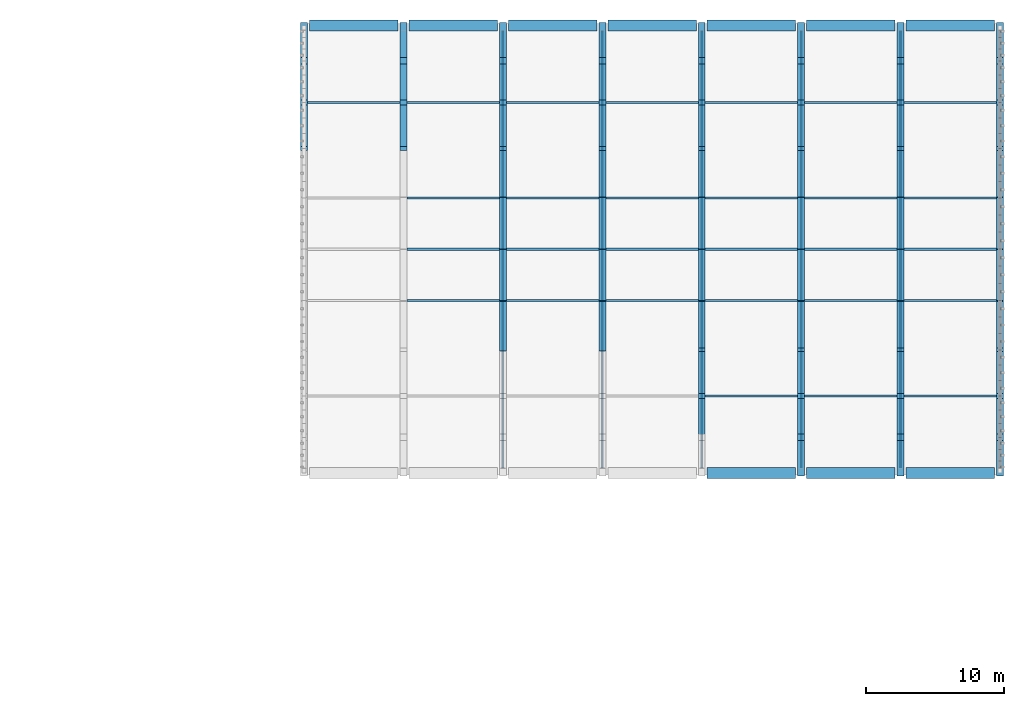
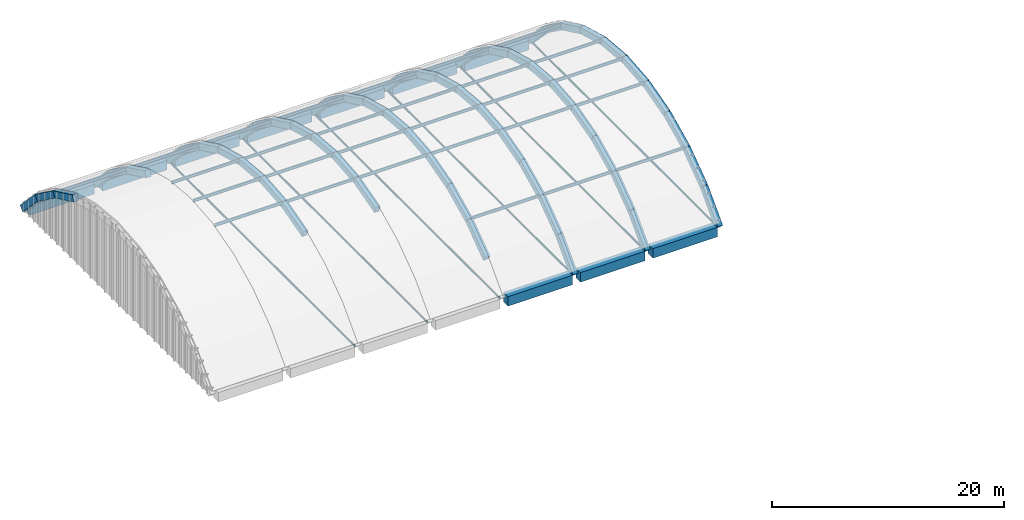
# One storey, part 5 of 16: 97 beams, 6 members.
"""IFC4 building model written with IfcOpenShell, lengths in metres."""

from ifc_helpers import new_model, si_unit, direction, frame, origin, origin_2d, place, context, subcontext, project, spatial, rectangle, hollow_circle, i_section, extrude, material, material_profile, profile_set, type_object, element, save


model = new_model("IFC4")

# Units and contexts
model_context = context("Model", 3, precision=1e-05, world=origin(), true_north=direction((0.0, 1.0)))
body_context = subcontext(model_context, "Body", "Model", "MODEL_VIEW")
ifc_project = project(units=[si_unit("LENGTHUNIT", "METRE"), si_unit("AREAUNIT", "SQUARE_METRE"), si_unit("VOLUMEUNIT", "CUBIC_METRE"), si_unit("PLANEANGLEUNIT", "RADIAN"), si_unit("MASSUNIT", "GRAM", prefix="KILO")], contexts=[model_context])

# Site, building, storey
site_placement = place(None, origin())
site = spatial("IfcSite", under=ifc_project, at=site_placement, CompositionType="ELEMENT")
building_placement = place(site_placement, origin())
building = spatial("IfcBuilding", under=site, at=building_placement, Name="Sardonyx Promenade Sports Hall", CompositionType="ELEMENT")
storey_placement = place(building_placement, frame((0.0, 0.0, 24.800048828125)))
storey = spatial("IfcBuildingStorey", under=building, at=storey_placement, Name="RF", CompositionType="ELEMENT", Elevation=24.800048828125)

# Beams
ifc_material_1 = material(Name="Concrete C40/50", Category="concrete")
ifc_material_profile_1 = material_profile(ifc_material_1, rectangle(XDim=0.800048828125, YDim=1.0, at=origin_2d()))
ifc_profile_set_1 = profile_set([ifc_material_profile_1], Name="Concrete C40/50")
beam_type_1 = type_object("IfcBeamType", Name="Bm_Ring_Main", PredefinedType="BEAM", material=ifc_profile_set_1)
for number, where, z_axis, x_axis, name in (
    (1, (29.195068359375, 104.39990234375, -4.5), (1.0, 0.0, 0.0), (0.0, 1.0, 0.0), "Vault springing ring beam RB1 V1 N1"),
    (2, (36.39501953125, 104.39990234375, -4.5), (1.0, 0.0, 0.0), (0.0, 1.0, 0.0), "Vault springing ring beam RB1 V1 N2"),
    (3, (43.594970703125, 104.39990234375, -4.5), (1.0, 0.0, 0.0), (0.0, 1.0, 0.0), "Vault springing ring beam RB1 V1 N3"),
):
    element("IfcBeam", number, at=place(storey_placement, frame(where, z_axis=z_axis, x_axis=x_axis)), inside=storey, type_object=beam_type_1, Name=name, PredefinedType="BEAM", context=body_context, shape_type="SweptSolid", body=[
        extrude(rectangle(XDim=0.800048828125, YDim=1.0, at=origin_2d()), origin(), (0.0, 0.0, 1.0), 6.409912109375),
    ])
beam_1_placement = place(storey_placement, frame((50.794921875, 104.39990234375, -4.5), z_axis=(1.0, 0.0, 0.0), x_axis=(0.0, 1.0, 0.0)))
element("IfcBeam", 4, at=beam_1_placement, inside=storey, type_object=beam_type_1, Name="Vault springing ring beam RB1 V1 N4", PredefinedType="BEAM", context=body_context, shape_type="SweptSolid", body=[
    extrude(rectangle(XDim=0.800048828125, YDim=1.0, at=origin_2d()), origin(), (0.0, 0.0, 1.0), 6.41015625),
])
for number, where, z_axis, x_axis, name in (
    (5, (57.9951171875, 72.0, -4.5), (1.0, 0.0, 0.0), (0.0, 1.0, 0.0), "Vault springing ring beam RB1 V1 S5"),
    (6, (57.9951171875, 104.39990234375, -4.5), (1.0, 0.0, 0.0), (0.0, 1.0, 0.0), "Vault springing ring beam RB1 V1 N5"),
    (7, (65.195068359375, 72.0, -4.5), (1.0, 0.0, 0.0), (0.0, 1.0, 0.0), "Vault springing ring beam RB1 V1 S6"),
    (8, (65.195068359375, 104.39990234375, -4.5), (1.0, 0.0, 0.0), (0.0, 1.0, 0.0), "Vault springing ring beam RB1 V1 N6"),
    (9, (72.39501953125, 72.0, -4.5), (1.0, 0.0, 0.0), (0.0, 1.0, 0.0), "Vault springing ring beam RB1 V1 S7"),
    (10, (72.39501953125, 104.39990234375, -4.5), (1.0, 0.0, 0.0), (0.0, 1.0, 0.0), "Vault springing ring beam RB1 V1 N7"),
):
    element("IfcBeam", number, at=place(storey_placement, frame(where, z_axis=z_axis, x_axis=x_axis)), inside=storey, type_object=beam_type_1, Name=name, PredefinedType="BEAM", context=body_context, shape_type="SweptSolid", body=[
        extrude(rectangle(XDim=0.800048828125, YDim=1.0, at=origin_2d()), origin(), (0.0, 0.0, 1.0), 6.409912109375),
    ])
ifc_material_2 = material(Name="Steel S355JR", Category="steel")
ifc_material_profile_2 = material_profile(ifc_material_2, i_section(OverallWidth=0.14990234375, OverallDepth=0.300048828125, WebThickness=0.007080078125, FlangeThickness=0.0107421875, at=origin_2d()))
ifc_profile_set_2 = profile_set([ifc_material_profile_2], Name="Steel S355JR")
beam_type_2 = type_object("IfcBeamType", Name="Bm_VaultPurlin_Ext", PredefinedType="BEAM", material=ifc_profile_set_2)
for number, where, z_axis, x_axis, name in (
    (11, (29.048095703125, 98.8271484375, 0.697509765625), (1.0, 0.0, 0.0), (0.0, 1.0, 0.0), "Vault longitudinal purlin V1 bay 1 line 8"),
    (12, (36.248046875, 84.50048828125, 3.297119140625), (1.0, 0.0, 0.0), (0.0, 1.0, 0.0), "Vault longitudinal purlin V1 bay 2 line 4"),
    (13, (36.248046875, 88.199951171875, 3.6298828125), (1.0, 0.0, 0.0), (0.0, 1.0, 0.0), "Vault longitudinal purlin V1 bay 2 line 5"),
    (14, (36.248046875, 91.899658203125, 3.297119140625), (1.0, 0.0, 0.0), (0.0, 1.0, 0.0), "Vault longitudinal purlin V1 bay 2 line 6"),
    (15, (36.248046875, 98.8271484375, 0.697509765625), (1.0, 0.0, 0.0), (0.0, 1.0, 0.0), "Vault longitudinal purlin V1 bay 2 line 8"),
):
    element("IfcBeam", number, at=place(storey_placement, frame(where, z_axis=z_axis, x_axis=x_axis)), inside=storey, type_object=beam_type_2, Name=name, PredefinedType="BEAM", context=body_context, shape_type="SweptSolid", body=[
        extrude(i_section(OverallWidth=0.14990234375, OverallDepth=0.300048828125, WebThickness=0.007080078125, FlangeThickness=0.0107421875, at=origin_2d()), origin(), (0.0, 0.0, 1.0), 6.703857421875),
    ])
for number, where, z_axis, x_axis, name in (
    (16, (43.447998046875, 84.50048828125, 3.297119140625), (1.0, 0.0, 0.0), (0.0, 1.0, 0.0), "Vault longitudinal purlin V1 bay 3 line 4"),
    (17, (43.447998046875, 88.199951171875, 3.6298828125), (1.0, 0.0, 0.0), (0.0, 1.0, 0.0), "Vault longitudinal purlin V1 bay 3 line 5"),
    (18, (43.447998046875, 91.899658203125, 3.297119140625), (1.0, 0.0, 0.0), (0.0, 1.0, 0.0), "Vault longitudinal purlin V1 bay 3 line 6"),
    (19, (43.447998046875, 98.8271484375, 0.697509765625), (1.0, 0.0, 0.0), (0.0, 1.0, 0.0), "Vault longitudinal purlin V1 bay 3 line 8"),
    (20, (50.64794921875, 84.50048828125, 3.297119140625), (1.0, 0.0, 0.0), (0.0, 1.0, 0.0), "Vault longitudinal purlin V1 bay 4 line 4"),
    (21, (50.64794921875, 88.199951171875, 3.6298828125), (1.0, 0.0, 0.0), (0.0, 1.0, 0.0), "Vault longitudinal purlin V1 bay 4 line 5"),
    (22, (50.64794921875, 91.899658203125, 3.297119140625), (1.0, 0.0, 0.0), (0.0, 1.0, 0.0), "Vault longitudinal purlin V1 bay 4 line 6"),
    (23, (50.64794921875, 98.8271484375, 0.697509765625), (1.0, 0.0, 0.0), (0.0, 1.0, 0.0), "Vault longitudinal purlin V1 bay 4 line 8"),
    (24, (57.847900390625, 77.57275390625, 0.697509765625), (1.0, 0.0, 0.0), (0.0, 1.0, 0.0), "Vault longitudinal purlin V1 bay 5 line 2"),
    (25, (57.847900390625, 84.50048828125, 3.297119140625), (1.0, 0.0, 0.0), (0.0, 1.0, 0.0), "Vault longitudinal purlin V1 bay 5 line 4"),
    (26, (57.847900390625, 88.199951171875, 3.6298828125), (1.0, 0.0, 0.0), (0.0, 1.0, 0.0), "Vault longitudinal purlin V1 bay 5 line 5"),
    (27, (57.847900390625, 91.899658203125, 3.297119140625), (1.0, 0.0, 0.0), (0.0, 1.0, 0.0), "Vault longitudinal purlin V1 bay 5 line 6"),
    (28, (57.847900390625, 98.8271484375, 0.697509765625), (1.0, 0.0, 0.0), (0.0, 1.0, 0.0), "Vault longitudinal purlin V1 bay 5 line 8"),
):
    element("IfcBeam", number, at=place(storey_placement, frame(where, z_axis=z_axis, x_axis=x_axis)), inside=storey, type_object=beam_type_2, Name=name, PredefinedType="BEAM", context=body_context, shape_type="SweptSolid", body=[
        extrude(i_section(OverallWidth=0.14990234375, OverallDepth=0.300048828125, WebThickness=0.007080078125, FlangeThickness=0.0107421875, at=origin_2d()), origin(), (0.0, 0.0, 1.0), 6.7041015625),
    ])
for number, where, z_axis, x_axis, name in (
    (29, (65.048095703125, 77.57275390625, 0.697509765625), (1.0, 0.0, 0.0), (0.0, 1.0, 0.0), "Vault longitudinal purlin V1 bay 6 line 2"),
    (30, (65.048095703125, 84.50048828125, 3.297119140625), (1.0, 0.0, 0.0), (0.0, 1.0, 0.0), "Vault longitudinal purlin V1 bay 6 line 4"),
    (31, (65.048095703125, 88.199951171875, 3.6298828125), (1.0, 0.0, 0.0), (0.0, 1.0, 0.0), "Vault longitudinal purlin V1 bay 6 line 5"),
    (32, (65.048095703125, 91.899658203125, 3.297119140625), (1.0, 0.0, 0.0), (0.0, 1.0, 0.0), "Vault longitudinal purlin V1 bay 6 line 6"),
    (33, (65.048095703125, 98.8271484375, 0.697509765625), (1.0, 0.0, 0.0), (0.0, 1.0, 0.0), "Vault longitudinal purlin V1 bay 6 line 8"),
    (34, (72.248046875, 77.57275390625, 0.697509765625), (1.0, 0.0, 0.0), (0.0, 1.0, 0.0), "Vault longitudinal purlin V1 bay 7 line 2"),
    (35, (72.248046875, 84.50048828125, 3.297119140625), (1.0, 0.0, 0.0), (0.0, 1.0, 0.0), "Vault longitudinal purlin V1 bay 7 line 4"),
    (36, (72.248046875, 88.199951171875, 3.6298828125), (1.0, 0.0, 0.0), (0.0, 1.0, 0.0), "Vault longitudinal purlin V1 bay 7 line 5"),
    (37, (72.248046875, 91.899658203125, 3.297119140625), (1.0, 0.0, 0.0), (0.0, 1.0, 0.0), "Vault longitudinal purlin V1 bay 7 line 6"),
    (38, (72.248046875, 98.8271484375, 0.697509765625), (1.0, 0.0, 0.0), (0.0, 1.0, 0.0), "Vault longitudinal purlin V1 bay 7 line 8"),
):
    element("IfcBeam", number, at=place(storey_placement, frame(where, z_axis=z_axis, x_axis=x_axis)), inside=storey, type_object=beam_type_2, Name=name, PredefinedType="BEAM", context=body_context, shape_type="SweptSolid", body=[
        extrude(i_section(OverallWidth=0.14990234375, OverallDepth=0.300048828125, WebThickness=0.007080078125, FlangeThickness=0.0107421875, at=origin_2d()), origin(), (0.0, 0.0, 1.0), 6.703857421875),
    ])
ifc_material_3 = material(Name="Concrete C40/50", Category="concrete")
ifc_material_profile_3 = material_profile(ifc_material_3, rectangle(XDim=0.5, YDim=0.64990234375, at=origin_2d()))
ifc_profile_set_3 = profile_set([ifc_material_profile_3], Name="Concrete C40/50")
beam_type_3 = type_object("IfcBeamType", Name="Bm_VaultRib_Main", PredefinedType="USERDEFINED", material=ifc_profile_set_3)
for number, where, z_axis, x_axis, name in (
    (39, (28.800048828125, 95.48046875, 2.154052734375), (0.0, 0.900979784154, -0.433861070558), (-1.0, 0.0, 0.0), "Barrel-vault arch rib AR1 Grid 5 chord 8"),
    (40, (28.800048828125, 98.8271484375, 0.54248046875), (0.0, 0.809071326549, -0.587710463201), (-1.0, 0.0, 0.0), "Barrel-vault arch rib AR1 Grid 5 chord 9"),
):
    element("IfcBeam", number, at=place(storey_placement, frame(where, z_axis=z_axis, x_axis=x_axis)), inside=storey, type_object=beam_type_3, Name=name, ObjectType="ARCH RIB", PredefinedType="USERDEFINED", context=body_context, shape_type="SweptSolid", body=[
        extrude(rectangle(XDim=0.5, YDim=0.64990234375, at=origin_2d()), origin(), (0.0, 0.0, 1.0), 3.714599609375),
    ])
beam_2_placement = place(storey_placement, frame((28.800048828125, 101.83251953125, -1.640625), z_axis=(0.0, 0.691189813973, -0.722673260236), x_axis=(-1.0, 0.0, 0.0)))
element("IfcBeam", 41, at=beam_2_placement, inside=storey, type_object=beam_type_3, Name="Barrel-vault arch rib AR1 Grid 5 chord 10", ObjectType="ARCH RIB", PredefinedType="USERDEFINED", context=body_context, shape_type="SweptSolid", body=[
    extrude(rectangle(XDim=0.5, YDim=0.64990234375, at=origin_2d()), origin(), (0.0, 0.0, 1.0), 3.71435546875),
])
for number, where, z_axis, x_axis, name in (
    (42, (36.0, 95.48046875, 2.154052734375), (0.0, 0.900979784154, -0.433861070558), (-1.0, 0.0, 0.0), "Barrel-vault arch rib AR1 Grid 6 chord 8"),
    (43, (36.0, 98.8271484375, 0.54248046875), (0.0, 0.809071326549, -0.587710463201), (-1.0, 0.0, 0.0), "Barrel-vault arch rib AR1 Grid 6 chord 9"),
):
    element("IfcBeam", number, at=place(storey_placement, frame(where, z_axis=z_axis, x_axis=x_axis)), inside=storey, type_object=beam_type_3, Name=name, ObjectType="ARCH RIB", PredefinedType="USERDEFINED", context=body_context, shape_type="SweptSolid", body=[
        extrude(rectangle(XDim=0.5, YDim=0.64990234375, at=origin_2d()), origin(), (0.0, 0.0, 1.0), 3.714599609375),
    ])
beam_3_placement = place(storey_placement, frame((36.0, 101.83251953125, -1.640625), z_axis=(0.0, 0.691189813973, -0.722673260236), x_axis=(-1.0, 0.0, 0.0)))
element("IfcBeam", 44, at=beam_3_placement, inside=storey, type_object=beam_type_3, Name="Barrel-vault arch rib AR1 Grid 6 chord 10", ObjectType="ARCH RIB", PredefinedType="USERDEFINED", context=body_context, shape_type="SweptSolid", body=[
    extrude(rectangle(XDim=0.5, YDim=0.64990234375, at=origin_2d()), origin(), (0.0, 0.0, 1.0), 3.71435546875),
])
beam_4_placement = place(storey_placement, frame((43.199951171875, 80.919677734375, 2.154052734375), z_axis=(0.0, 0.963976929868, 0.26598586181), x_axis=(-1.0, 0.0, 0.0)))
element("IfcBeam", 45, at=beam_4_placement, inside=storey, type_object=beam_type_3, Name="Barrel-vault arch rib AR1 Grid 7 chord 4", ObjectType="ARCH RIB", PredefinedType="USERDEFINED", context=body_context, shape_type="SweptSolid", body=[
    extrude(rectangle(XDim=0.5, YDim=0.64990234375, at=origin_2d()), origin(), (0.0, 0.0, 1.0), 3.714599609375),
])
beam_5_placement = place(storey_placement, frame((43.199951171875, 84.50048828125, 3.14208984375), z_axis=(0.0, 0.995978955941, 0.089587495344), x_axis=(-1.0, 0.0, 0.0)))
element("IfcBeam", 46, at=beam_5_placement, inside=storey, type_object=beam_type_3, Name="Barrel-vault arch rib AR1 Grid 7 chord 5", ObjectType="ARCH RIB", PredefinedType="USERDEFINED", context=body_context, shape_type="SweptSolid", body=[
    extrude(rectangle(XDim=0.5, YDim=0.64990234375, at=origin_2d()), origin(), (0.0, 0.0, 1.0), 3.71435546875),
])
for number, where, z_axis, x_axis, name in (
    (47, (43.199951171875, 88.199951171875, 3.474853515625), (0.0, 0.995979483419, -0.089581630982), (-1.0, 0.0, 0.0), "Barrel-vault arch rib AR1 Grid 7 chord 6"),
    (48, (43.199951171875, 91.899658203125, 3.14208984375), (0.0, 0.963976929868, -0.26598586181), (-1.0, 0.0, 0.0), "Barrel-vault arch rib AR1 Grid 7 chord 7"),
    (49, (43.199951171875, 95.48046875, 2.154052734375), (0.0, 0.900979784154, -0.433861070558), (-1.0, 0.0, 0.0), "Barrel-vault arch rib AR1 Grid 7 chord 8"),
    (50, (43.199951171875, 98.8271484375, 0.54248046875), (0.0, 0.809071326549, -0.587710463201), (-1.0, 0.0, 0.0), "Barrel-vault arch rib AR1 Grid 7 chord 9"),
):
    element("IfcBeam", number, at=place(storey_placement, frame(where, z_axis=z_axis, x_axis=x_axis)), inside=storey, type_object=beam_type_3, Name=name, ObjectType="ARCH RIB", PredefinedType="USERDEFINED", context=body_context, shape_type="SweptSolid", body=[
        extrude(rectangle(XDim=0.5, YDim=0.64990234375, at=origin_2d()), origin(), (0.0, 0.0, 1.0), 3.714599609375),
    ])
beam_6_placement = place(storey_placement, frame((43.199951171875, 101.83251953125, -1.640625), z_axis=(0.0, 0.691189813973, -0.722673260236), x_axis=(-1.0, 0.0, 0.0)))
element("IfcBeam", 51, at=beam_6_placement, inside=storey, type_object=beam_type_3, Name="Barrel-vault arch rib AR1 Grid 7 chord 10", ObjectType="ARCH RIB", PredefinedType="USERDEFINED", context=body_context, shape_type="SweptSolid", body=[
    extrude(rectangle(XDim=0.5, YDim=0.64990234375, at=origin_2d()), origin(), (0.0, 0.0, 1.0), 3.71435546875),
])
beam_7_placement = place(storey_placement, frame((50.39990234375, 80.919677734375, 2.154052734375), z_axis=(0.0, 0.963976929868, 0.26598586181), x_axis=(-1.0, 0.0, 0.0)))
element("IfcBeam", 52, at=beam_7_placement, inside=storey, type_object=beam_type_3, Name="Barrel-vault arch rib AR1 Grid 8 chord 4", ObjectType="ARCH RIB", PredefinedType="USERDEFINED", context=body_context, shape_type="SweptSolid", body=[
    extrude(rectangle(XDim=0.5, YDim=0.64990234375, at=origin_2d()), origin(), (0.0, 0.0, 1.0), 3.714599609375),
])
beam_8_placement = place(storey_placement, frame((50.39990234375, 84.50048828125, 3.14208984375), z_axis=(0.0, 0.995978955941, 0.089587495344), x_axis=(-1.0, 0.0, 0.0)))
element("IfcBeam", 53, at=beam_8_placement, inside=storey, type_object=beam_type_3, Name="Barrel-vault arch rib AR1 Grid 8 chord 5", ObjectType="ARCH RIB", PredefinedType="USERDEFINED", context=body_context, shape_type="SweptSolid", body=[
    extrude(rectangle(XDim=0.5, YDim=0.64990234375, at=origin_2d()), origin(), (0.0, 0.0, 1.0), 3.71435546875),
])
for number, where, z_axis, x_axis, name in (
    (54, (50.39990234375, 88.199951171875, 3.474853515625), (0.0, 0.995979483419, -0.089581630982), (-1.0, 0.0, 0.0), "Barrel-vault arch rib AR1 Grid 8 chord 6"),
    (55, (50.39990234375, 91.899658203125, 3.14208984375), (0.0, 0.963976929868, -0.26598586181), (-1.0, 0.0, 0.0), "Barrel-vault arch rib AR1 Grid 8 chord 7"),
    (56, (50.39990234375, 95.48046875, 2.154052734375), (0.0, 0.900979784154, -0.433861070558), (-1.0, 0.0, 0.0), "Barrel-vault arch rib AR1 Grid 8 chord 8"),
    (57, (50.39990234375, 98.8271484375, 0.54248046875), (0.0, 0.809071326549, -0.587710463201), (-1.0, 0.0, 0.0), "Barrel-vault arch rib AR1 Grid 8 chord 9"),
):
    element("IfcBeam", number, at=place(storey_placement, frame(where, z_axis=z_axis, x_axis=x_axis)), inside=storey, type_object=beam_type_3, Name=name, ObjectType="ARCH RIB", PredefinedType="USERDEFINED", context=body_context, shape_type="SweptSolid", body=[
        extrude(rectangle(XDim=0.5, YDim=0.64990234375, at=origin_2d()), origin(), (0.0, 0.0, 1.0), 3.714599609375),
    ])
beam_9_placement = place(storey_placement, frame((50.39990234375, 101.83251953125, -1.640625), z_axis=(0.0, 0.691189813973, -0.722673260236), x_axis=(-1.0, 0.0, 0.0)))
element("IfcBeam", 58, at=beam_9_placement, inside=storey, type_object=beam_type_3, Name="Barrel-vault arch rib AR1 Grid 8 chord 10", ObjectType="ARCH RIB", PredefinedType="USERDEFINED", context=body_context, shape_type="SweptSolid", body=[
    extrude(rectangle(XDim=0.5, YDim=0.64990234375, at=origin_2d()), origin(), (0.0, 0.0, 1.0), 3.71435546875),
])
for number, where, z_axis, x_axis, name in (
    (59, (57.60009765625, 74.5673828125, -1.640625), (0.0, 0.809071326549, 0.587710463201), (-1.0, 0.0, 0.0), "Barrel-vault arch rib AR1 Grid 9 chord 2"),
    (60, (57.60009765625, 77.57275390625, 0.54248046875), (0.0, 0.900992155124, 0.433835379384), (-1.0, 0.0, 0.0), "Barrel-vault arch rib AR1 Grid 9 chord 3"),
    (61, (57.60009765625, 80.919677734375, 2.154052734375), (0.0, 0.963976929868, 0.26598586181), (-1.0, 0.0, 0.0), "Barrel-vault arch rib AR1 Grid 9 chord 4"),
):
    element("IfcBeam", number, at=place(storey_placement, frame(where, z_axis=z_axis, x_axis=x_axis)), inside=storey, type_object=beam_type_3, Name=name, ObjectType="ARCH RIB", PredefinedType="USERDEFINED", context=body_context, shape_type="SweptSolid", body=[
        extrude(rectangle(XDim=0.5, YDim=0.64990234375, at=origin_2d()), origin(), (0.0, 0.0, 1.0), 3.714599609375),
    ])
beam_10_placement = place(storey_placement, frame((57.60009765625, 84.50048828125, 3.14208984375), z_axis=(0.0, 0.995978955941, 0.089587495344), x_axis=(-1.0, 0.0, 0.0)))
element("IfcBeam", 62, at=beam_10_placement, inside=storey, type_object=beam_type_3, Name="Barrel-vault arch rib AR1 Grid 9 chord 5", ObjectType="ARCH RIB", PredefinedType="USERDEFINED", context=body_context, shape_type="SweptSolid", body=[
    extrude(rectangle(XDim=0.5, YDim=0.64990234375, at=origin_2d()), origin(), (0.0, 0.0, 1.0), 3.71435546875),
])
for number, where, z_axis, x_axis, name in (
    (63, (57.60009765625, 88.199951171875, 3.474853515625), (0.0, 0.995979483419, -0.089581630982), (-1.0, 0.0, 0.0), "Barrel-vault arch rib AR1 Grid 9 chord 6"),
    (64, (57.60009765625, 91.899658203125, 3.14208984375), (0.0, 0.963976929868, -0.26598586181), (-1.0, 0.0, 0.0), "Barrel-vault arch rib AR1 Grid 9 chord 7"),
    (65, (57.60009765625, 95.48046875, 2.154052734375), (0.0, 0.900979784154, -0.433861070558), (-1.0, 0.0, 0.0), "Barrel-vault arch rib AR1 Grid 9 chord 8"),
    (66, (57.60009765625, 98.8271484375, 0.54248046875), (0.0, 0.809071326549, -0.587710463201), (-1.0, 0.0, 0.0), "Barrel-vault arch rib AR1 Grid 9 chord 9"),
):
    element("IfcBeam", number, at=place(storey_placement, frame(where, z_axis=z_axis, x_axis=x_axis)), inside=storey, type_object=beam_type_3, Name=name, ObjectType="ARCH RIB", PredefinedType="USERDEFINED", context=body_context, shape_type="SweptSolid", body=[
        extrude(rectangle(XDim=0.5, YDim=0.64990234375, at=origin_2d()), origin(), (0.0, 0.0, 1.0), 3.714599609375),
    ])
for number, where, z_axis, x_axis, name in (
    (67, (57.60009765625, 101.83251953125, -1.640625), (0.0, 0.691189813973, -0.722673260236), (-1.0, 0.0, 0.0), "Barrel-vault arch rib AR1 Grid 9 chord 10"),
    (68, (64.800048828125, 72.0, -4.324951171875), (0.0, 0.691189813973, 0.722673260236), (-1.0, 0.0, 0.0), "Barrel-vault arch rib AR1 Grid 10 chord 1"),
):
    element("IfcBeam", number, at=place(storey_placement, frame(where, z_axis=z_axis, x_axis=x_axis)), inside=storey, type_object=beam_type_3, Name=name, ObjectType="ARCH RIB", PredefinedType="USERDEFINED", context=body_context, shape_type="SweptSolid", body=[
        extrude(rectangle(XDim=0.5, YDim=0.64990234375, at=origin_2d()), origin(), (0.0, 0.0, 1.0), 3.71435546875),
    ])
for number, where, z_axis, x_axis, name in (
    (69, (64.800048828125, 74.5673828125, -1.640625), (0.0, 0.809071326549, 0.587710463201), (-1.0, 0.0, 0.0), "Barrel-vault arch rib AR1 Grid 10 chord 2"),
    (70, (64.800048828125, 77.57275390625, 0.54248046875), (0.0, 0.900992155124, 0.433835379384), (-1.0, 0.0, 0.0), "Barrel-vault arch rib AR1 Grid 10 chord 3"),
    (71, (64.800048828125, 80.919677734375, 2.154052734375), (0.0, 0.963976929868, 0.26598586181), (-1.0, 0.0, 0.0), "Barrel-vault arch rib AR1 Grid 10 chord 4"),
):
    element("IfcBeam", number, at=place(storey_placement, frame(where, z_axis=z_axis, x_axis=x_axis)), inside=storey, type_object=beam_type_3, Name=name, ObjectType="ARCH RIB", PredefinedType="USERDEFINED", context=body_context, shape_type="SweptSolid", body=[
        extrude(rectangle(XDim=0.5, YDim=0.64990234375, at=origin_2d()), origin(), (0.0, 0.0, 1.0), 3.714599609375),
    ])
beam_11_placement = place(storey_placement, frame((64.800048828125, 84.50048828125, 3.14208984375), z_axis=(0.0, 0.995978955941, 0.089587495344), x_axis=(-1.0, 0.0, 0.0)))
element("IfcBeam", 72, at=beam_11_placement, inside=storey, type_object=beam_type_3, Name="Barrel-vault arch rib AR1 Grid 10 chord 5", ObjectType="ARCH RIB", PredefinedType="USERDEFINED", context=body_context, shape_type="SweptSolid", body=[
    extrude(rectangle(XDim=0.5, YDim=0.64990234375, at=origin_2d()), origin(), (0.0, 0.0, 1.0), 3.71435546875),
])
for number, where, z_axis, x_axis, name in (
    (73, (64.800048828125, 88.199951171875, 3.474853515625), (0.0, 0.995979483419, -0.089581630982), (-1.0, 0.0, 0.0), "Barrel-vault arch rib AR1 Grid 10 chord 6"),
    (74, (64.800048828125, 91.899658203125, 3.14208984375), (0.0, 0.963976929868, -0.26598586181), (-1.0, 0.0, 0.0), "Barrel-vault arch rib AR1 Grid 10 chord 7"),
    (75, (64.800048828125, 95.48046875, 2.154052734375), (0.0, 0.900979784154, -0.433861070558), (-1.0, 0.0, 0.0), "Barrel-vault arch rib AR1 Grid 10 chord 8"),
    (76, (64.800048828125, 98.8271484375, 0.54248046875), (0.0, 0.809071326549, -0.587710463201), (-1.0, 0.0, 0.0), "Barrel-vault arch rib AR1 Grid 10 chord 9"),
):
    element("IfcBeam", number, at=place(storey_placement, frame(where, z_axis=z_axis, x_axis=x_axis)), inside=storey, type_object=beam_type_3, Name=name, ObjectType="ARCH RIB", PredefinedType="USERDEFINED", context=body_context, shape_type="SweptSolid", body=[
        extrude(rectangle(XDim=0.5, YDim=0.64990234375, at=origin_2d()), origin(), (0.0, 0.0, 1.0), 3.714599609375),
    ])
for number, where, z_axis, x_axis, name in (
    (77, (64.800048828125, 101.83251953125, -1.640625), (0.0, 0.691189813973, -0.722673260236), (-1.0, 0.0, 0.0), "Barrel-vault arch rib AR1 Grid 10 chord 10"),
    (78, (72.0, 72.0, -4.324951171875), (0.0, 0.691189813973, 0.722673260236), (-1.0, 0.0, 0.0), "Barrel-vault arch rib AR1 Grid 11 chord 1"),
):
    element("IfcBeam", number, at=place(storey_placement, frame(where, z_axis=z_axis, x_axis=x_axis)), inside=storey, type_object=beam_type_3, Name=name, ObjectType="ARCH RIB", PredefinedType="USERDEFINED", context=body_context, shape_type="SweptSolid", body=[
        extrude(rectangle(XDim=0.5, YDim=0.64990234375, at=origin_2d()), origin(), (0.0, 0.0, 1.0), 3.71435546875),
    ])
for number, where, z_axis, x_axis, name in (
    (79, (72.0, 74.5673828125, -1.640625), (0.0, 0.809071326549, 0.587710463201), (-1.0, 0.0, 0.0), "Barrel-vault arch rib AR1 Grid 11 chord 2"),
    (80, (72.0, 77.57275390625, 0.54248046875), (0.0, 0.900992155124, 0.433835379384), (-1.0, 0.0, 0.0), "Barrel-vault arch rib AR1 Grid 11 chord 3"),
    (81, (72.0, 80.919677734375, 2.154052734375), (0.0, 0.963976929868, 0.26598586181), (-1.0, 0.0, 0.0), "Barrel-vault arch rib AR1 Grid 11 chord 4"),
):
    element("IfcBeam", number, at=place(storey_placement, frame(where, z_axis=z_axis, x_axis=x_axis)), inside=storey, type_object=beam_type_3, Name=name, ObjectType="ARCH RIB", PredefinedType="USERDEFINED", context=body_context, shape_type="SweptSolid", body=[
        extrude(rectangle(XDim=0.5, YDim=0.64990234375, at=origin_2d()), origin(), (0.0, 0.0, 1.0), 3.714599609375),
    ])
beam_12_placement = place(storey_placement, frame((72.0, 84.50048828125, 3.14208984375), z_axis=(0.0, 0.995978955941, 0.089587495344), x_axis=(-1.0, 0.0, 0.0)))
element("IfcBeam", 82, at=beam_12_placement, inside=storey, type_object=beam_type_3, Name="Barrel-vault arch rib AR1 Grid 11 chord 5", ObjectType="ARCH RIB", PredefinedType="USERDEFINED", context=body_context, shape_type="SweptSolid", body=[
    extrude(rectangle(XDim=0.5, YDim=0.64990234375, at=origin_2d()), origin(), (0.0, 0.0, 1.0), 3.71435546875),
])
for number, where, z_axis, x_axis, name in (
    (83, (72.0, 88.199951171875, 3.474853515625), (0.0, 0.995979483419, -0.089581630982), (-1.0, 0.0, 0.0), "Barrel-vault arch rib AR1 Grid 11 chord 6"),
    (84, (72.0, 91.899658203125, 3.14208984375), (0.0, 0.963976929868, -0.26598586181), (-1.0, 0.0, 0.0), "Barrel-vault arch rib AR1 Grid 11 chord 7"),
    (85, (72.0, 95.48046875, 2.154052734375), (0.0, 0.900979784154, -0.433861070558), (-1.0, 0.0, 0.0), "Barrel-vault arch rib AR1 Grid 11 chord 8"),
    (86, (72.0, 98.8271484375, 0.54248046875), (0.0, 0.809071326549, -0.587710463201), (-1.0, 0.0, 0.0), "Barrel-vault arch rib AR1 Grid 11 chord 9"),
):
    element("IfcBeam", number, at=place(storey_placement, frame(where, z_axis=z_axis, x_axis=x_axis)), inside=storey, type_object=beam_type_3, Name=name, ObjectType="ARCH RIB", PredefinedType="USERDEFINED", context=body_context, shape_type="SweptSolid", body=[
        extrude(rectangle(XDim=0.5, YDim=0.64990234375, at=origin_2d()), origin(), (0.0, 0.0, 1.0), 3.714599609375),
    ])
for number, where, z_axis, x_axis, name in (
    (87, (72.0, 101.83251953125, -1.640625), (0.0, 0.691189813973, -0.722673260236), (-1.0, 0.0, 0.0), "Barrel-vault arch rib AR1 Grid 11 chord 10"),
    (88, (79.199951171875, 72.0, -4.324951171875), (0.0, 0.691189813973, 0.722673260236), (-1.0, 0.0, 0.0), "Barrel-vault arch rib AR1 Grid 12 chord 1"),
):
    element("IfcBeam", number, at=place(storey_placement, frame(where, z_axis=z_axis, x_axis=x_axis)), inside=storey, type_object=beam_type_3, Name=name, ObjectType="ARCH RIB", PredefinedType="USERDEFINED", context=body_context, shape_type="SweptSolid", body=[
        extrude(rectangle(XDim=0.5, YDim=0.64990234375, at=origin_2d()), origin(), (0.0, 0.0, 1.0), 3.71435546875),
    ])
for number, where, z_axis, x_axis, name in (
    (89, (79.199951171875, 74.5673828125, -1.640625), (0.0, 0.809071326549, 0.587710463201), (-1.0, 0.0, 0.0), "Barrel-vault arch rib AR1 Grid 12 chord 2"),
    (90, (79.199951171875, 77.57275390625, 0.54248046875), (0.0, 0.900992155124, 0.433835379384), (-1.0, 0.0, 0.0), "Barrel-vault arch rib AR1 Grid 12 chord 3"),
    (91, (79.199951171875, 80.919677734375, 2.154052734375), (0.0, 0.963976929868, 0.26598586181), (-1.0, 0.0, 0.0), "Barrel-vault arch rib AR1 Grid 12 chord 4"),
):
    element("IfcBeam", number, at=place(storey_placement, frame(where, z_axis=z_axis, x_axis=x_axis)), inside=storey, type_object=beam_type_3, Name=name, ObjectType="ARCH RIB", PredefinedType="USERDEFINED", context=body_context, shape_type="SweptSolid", body=[
        extrude(rectangle(XDim=0.5, YDim=0.64990234375, at=origin_2d()), origin(), (0.0, 0.0, 1.0), 3.714599609375),
    ])
beam_13_placement = place(storey_placement, frame((79.199951171875, 84.50048828125, 3.14208984375), z_axis=(0.0, 0.995978955941, 0.089587495344), x_axis=(-1.0, 0.0, 0.0)))
element("IfcBeam", 92, at=beam_13_placement, inside=storey, type_object=beam_type_3, Name="Barrel-vault arch rib AR1 Grid 12 chord 5", ObjectType="ARCH RIB", PredefinedType="USERDEFINED", context=body_context, shape_type="SweptSolid", body=[
    extrude(rectangle(XDim=0.5, YDim=0.64990234375, at=origin_2d()), origin(), (0.0, 0.0, 1.0), 3.71435546875),
])
for number, where, z_axis, x_axis, name in (
    (93, (79.199951171875, 88.199951171875, 3.474853515625), (0.0, 0.995979483419, -0.089581630982), (-1.0, 0.0, 0.0), "Barrel-vault arch rib AR1 Grid 12 chord 6"),
    (94, (79.199951171875, 91.899658203125, 3.14208984375), (0.0, 0.963976929868, -0.26598586181), (-1.0, 0.0, 0.0), "Barrel-vault arch rib AR1 Grid 12 chord 7"),
    (95, (79.199951171875, 95.48046875, 2.154052734375), (0.0, 0.900979784154, -0.433861070558), (-1.0, 0.0, 0.0), "Barrel-vault arch rib AR1 Grid 12 chord 8"),
    (96, (79.199951171875, 98.8271484375, 0.54248046875), (0.0, 0.809071326549, -0.587710463201), (-1.0, 0.0, 0.0), "Barrel-vault arch rib AR1 Grid 12 chord 9"),
):
    element("IfcBeam", number, at=place(storey_placement, frame(where, z_axis=z_axis, x_axis=x_axis)), inside=storey, type_object=beam_type_3, Name=name, ObjectType="ARCH RIB", PredefinedType="USERDEFINED", context=body_context, shape_type="SweptSolid", body=[
        extrude(rectangle(XDim=0.5, YDim=0.64990234375, at=origin_2d()), origin(), (0.0, 0.0, 1.0), 3.714599609375),
    ])
beam_14_placement = place(storey_placement, frame((79.199951171875, 101.83251953125, -1.640625), z_axis=(0.0, 0.691189813973, -0.722673260236), x_axis=(-1.0, 0.0, 0.0)))
element("IfcBeam", 97, at=beam_14_placement, inside=storey, type_object=beam_type_3, Name="Barrel-vault arch rib AR1 Grid 12 chord 10", ObjectType="ARCH RIB", PredefinedType="USERDEFINED", context=body_context, shape_type="SweptSolid", body=[
    extrude(rectangle(XDim=0.5, YDim=0.64990234375, at=origin_2d()), origin(), (0.0, 0.0, 1.0), 3.71435546875),
])

# Members
ifc_material_4 = material(Name="Steel S355JR", Category="steel")
ifc_material_profile_4 = material_profile(ifc_material_4, hollow_circle(Radius=0.096923828125, WallThickness=0.010009765625, at=origin_2d()))
ifc_profile_set_4 = profile_set([ifc_material_profile_4], Name="Steel S355JR")
member_type = type_object("IfcMemberType", Name="Mbr_VaultTie_CHS194", PredefinedType="CHORD", material=ifc_profile_set_4)
for number, where, z_axis, x_axis, name in (
    (98, (43.199951171875, 72.35009765625, -4.449951171875), (0.0, 1.0, 0.0), (-1.0, 0.0, 0.0), "Vault springing tie-rod VT01 Grid 7"),
    (99, (50.39990234375, 72.35009765625, -4.449951171875), (0.0, 1.0, 0.0), (-1.0, 0.0, 0.0), "Vault springing tie-rod VT01 Grid 8"),
    (100, (57.60009765625, 72.35009765625, -4.449951171875), (0.0, 1.0, 0.0), (-1.0, 0.0, 0.0), "Vault springing tie-rod VT01 Grid 9"),
    (101, (64.800048828125, 72.35009765625, -4.449951171875), (0.0, 1.0, 0.0), (-1.0, 0.0, 0.0), "Vault springing tie-rod VT01 Grid 10"),
    (102, (72.0, 72.35009765625, -4.449951171875), (0.0, 1.0, 0.0), (-1.0, 0.0, 0.0), "Vault springing tie-rod VT01 Grid 11"),
    (103, (79.199951171875, 72.35009765625, -4.449951171875), (0.0, 1.0, 0.0), (-1.0, 0.0, 0.0), "Vault springing tie-rod VT01 Grid 12"),
):
    element("IfcMember", number, at=place(storey_placement, frame(where, z_axis=z_axis, x_axis=x_axis)), inside=storey, type_object=member_type, Name=name, PredefinedType="CHORD", context=body_context, shape_type="SweptSolid", body=[
        extrude(hollow_circle(Radius=0.096923828125, WallThickness=0.010009765625, at=origin_2d()), origin(), (0.0, 0.0, 1.0), 31.699951171875),
    ])

save(model, "model.ifc")
